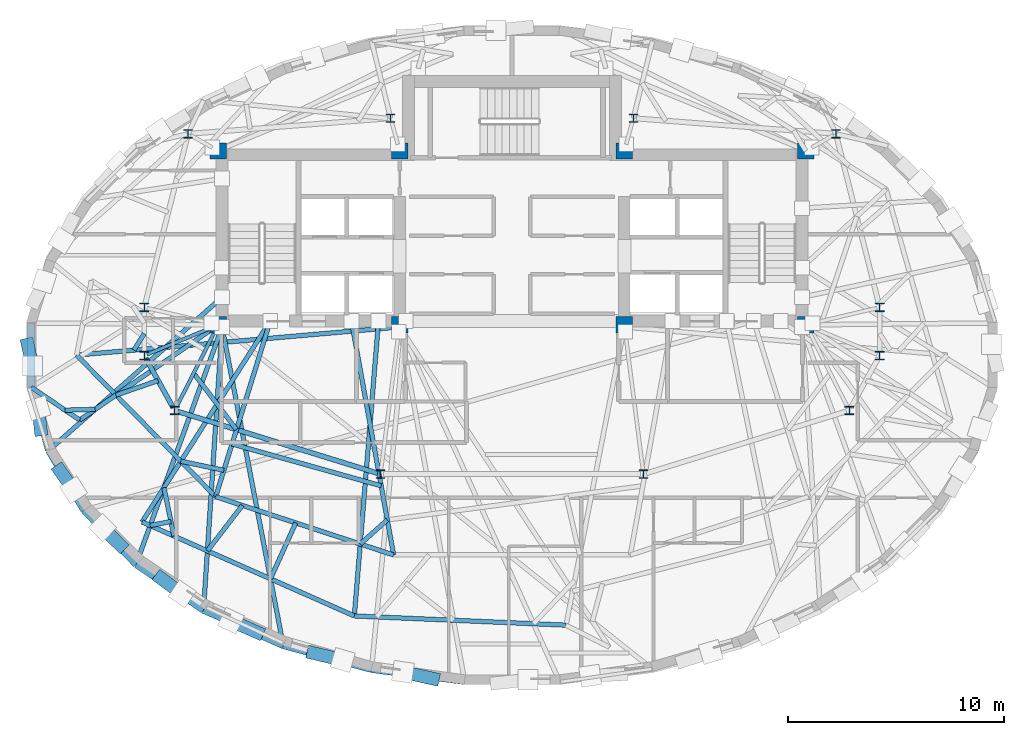
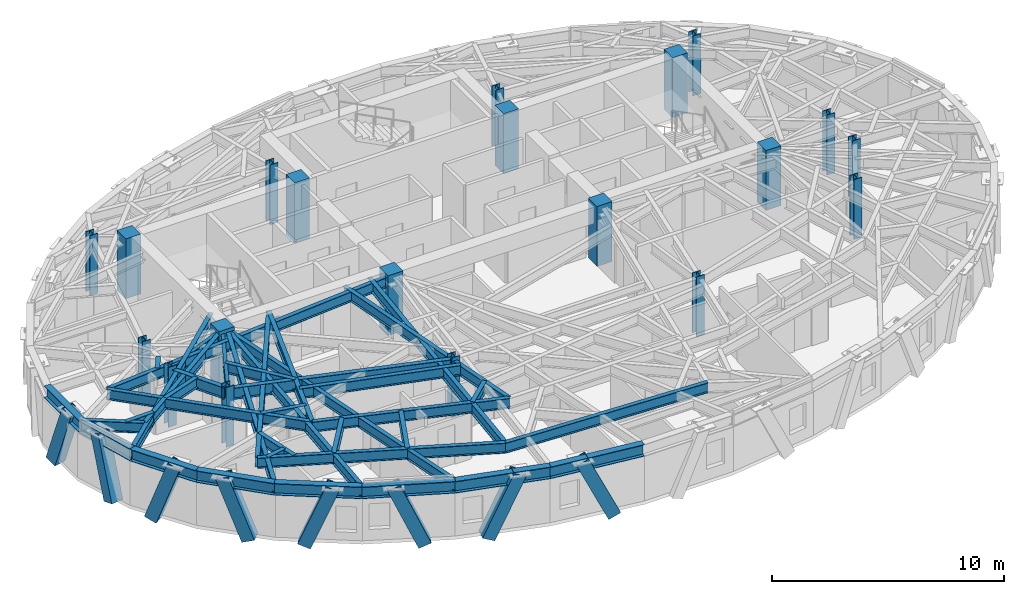
# One storey, part 1 of 12: 38 beams, 20 columns, 8 members.
"""IFC4 building model written with IfcOpenShell, lengths in metres."""

from ifc_helpers import new_model, si_unit, direction, frame, origin, origin_2d, place, context, subcontext, project, spatial, rectangle, hollow_rectangle, i_section, extrude, material, material_profile, profile_set, type_object, element, save


model = new_model("IFC4")

# Units and contexts
model_context = context("Model", 3, precision=1e-05, world=origin(), true_north=direction((0.0, 1.0)))
body_context = subcontext(model_context, "Body", "Model", "MODEL_VIEW")
ifc_project = project(units=[si_unit("LENGTHUNIT", "METRE"), si_unit("AREAUNIT", "SQUARE_METRE"), si_unit("VOLUMEUNIT", "CUBIC_METRE"), si_unit("PLANEANGLEUNIT", "RADIAN"), si_unit("MASSUNIT", "GRAM", prefix="KILO")], contexts=[model_context])

# Site, building, storey
site_placement = place(None, origin())
site = spatial("IfcSite", under=ifc_project, at=site_placement, CompositionType="ELEMENT")
building_placement = place(site_placement, origin())
building = spatial("IfcBuilding", under=site, at=building_placement, Name="Keldmark Tower", CompositionType="ELEMENT")
storey_placement = place(building_placement, frame((0.0, 0.0, 228.89990234375)))
storey = spatial("IfcBuildingStorey", under=building, at=storey_placement, Name="L64", CompositionType="ELEMENT", Elevation=228.89990234375)

# Columns
ifc_material_1 = material(Name="Concrete C50/60", Category="concrete")
ifc_material_profile_1 = material_profile(ifc_material_1, rectangle(XDim=0.75, YDim=0.75, at=origin_2d()), Name="RC750X750")
ifc_profile_set_1 = profile_set([ifc_material_profile_1], Name="Concrete C50/60")
column_type_1 = type_object("IfcColumnType", Name="Core Boundary Column RC750", PredefinedType="PILASTER", material=ifc_profile_set_1)
for number, where, z_axis, x_axis, name in (
    (1, (-13.60009765625, 1.39990234375, 0.0), (0.0, 0.0, 1.0), (1.0, 0.0, 0.0), "L64 Core Boundary Column CC-W1"),
    (2, (-13.60009765625, 9.449951171875, 0.0), (0.0, 0.0, 1.0), (1.0, 0.0, 0.0), "L64 Core Boundary Column CC-W2"),
    (3, (-5.199951171875, 1.39990234375, 0.0), (0.0, 0.0, 1.0), (1.0, 0.0, 0.0), "L64 Core Boundary Column CC-W3"),
    (4, (-5.199951171875, 9.449951171875, 0.0), (0.0, 0.0, 1.0), (1.0, 0.0, 0.0), "L64 Core Boundary Column CC-W4"),
    (5, (5.199951171875, 1.39990234375, 0.0), (0.0, 0.0, 1.0), (1.0, 0.0, 0.0), "L64 Core Boundary Column CC-E1"),
    (6, (5.199951171875, 9.449951171875, 0.0), (0.0, 0.0, 1.0), (1.0, 0.0, 0.0), "L64 Core Boundary Column CC-E2"),
    (7, (13.60009765625, 1.39990234375, 0.0), (0.0, 0.0, 1.0), (1.0, 0.0, 0.0), "L64 Core Boundary Column CC-E3"),
    (8, (13.60009765625, 9.449951171875, 0.0), (0.0, 0.0, 1.0), (1.0, 0.0, 0.0), "L64 Core Boundary Column CC-E4"),
):
    element("IfcColumn", number, at=place(storey_placement, frame(where, z_axis=z_axis, x_axis=x_axis)), inside=storey, type_object=column_type_1, Name=name, PredefinedType="PILASTER", context=body_context, shape_type="SweptSolid", body=[
        extrude(rectangle(XDim=0.75, YDim=0.75, at=origin_2d()), origin(), (0.0, 0.0, 1.0), 3.150146484375),
    ])
ifc_material_2 = material(Name="Steel ASTM A992 Grade 50", Category="steel")
ifc_material_profile_2 = material_profile(ifc_material_2, i_section(OverallWidth=0.39892578125, OverallDepth=0.386962890625, WebThickness=0.02099609375, FlangeThickness=0.033203125, at=origin_2d()), Name="W14X176")
ifc_profile_set_2 = profile_set([ifc_material_profile_2], Name="Steel ASTM A992 Grade 50")
column_type_2 = type_object("IfcColumnType", Name="Tower Gravity Column W14X176", PredefinedType="COLUMN", material=ifc_profile_set_2)
for number, where, z_axis, x_axis, name in (
    (9, (17.025634765625, 2.2080078125, 0.0), (0.0, 0.0, 1.0), (1.0, 0.0, 0.0), "L64 Tower Gravity Column TC-E1"),
    (10, (14.995849609375, 10.24365234375, 0.0), (0.0, 0.0, 1.0), (1.0, 0.0, 0.0), "L64 Tower Gravity Column TC-E4"),
    (11, (5.61865234375, 10.967041015625, 0.0), (0.0, 0.0, 1.0), (1.0, 0.0, 0.0), "L64 Tower Gravity Column TC-N2"),
    (12, (-5.61865234375, 10.967041015625, 0.0), (0.0, 0.0, 1.0), (1.0, 0.0, 0.0), "L64 Tower Gravity Column TC-N1"),
    (13, (-14.995849609375, 10.24365234375, 0.0), (0.0, 0.0, 1.0), (1.0, 0.0, 0.0), "L64 Tower Gravity Column TC-W4"),
    (14, (-17.025634765625, 2.2080078125, 0.0), (0.0, 0.0, 1.0), (1.0, 0.0, 0.0), "L64 Tower Gravity Column TC-W1"),
    (15, (-17.025634765625, -0.02392578125, 0.0), (0.0, 0.0, 1.0), (1.0, 0.0, 0.0), "L64 Tower Gravity Column TC-W5"),
    (16, (-15.6162109375, -2.5673828125, 0.0), (0.0, 0.0, 1.0), (1.0, 0.0, 0.0), "L64 Tower Gravity Column TC-W2"),
    (17, (-6.089599609375, -5.512939453125, 0.0), (0.0, 0.0, 1.0), (1.0, 0.0, 0.0), "L64 Tower Gravity Column TC-W3"),
    (18, (6.089599609375, -5.512939453125, 0.0), (0.0, 0.0, 1.0), (1.0, 0.0, 0.0), "L64 Tower Gravity Column TC-E3"),
    (19, (15.6162109375, -2.5673828125, 0.0), (0.0, 0.0, 1.0), (1.0, 0.0, 0.0), "L64 Tower Gravity Column TC-E2"),
    (20, (17.025634765625, -0.02392578125, 0.0), (0.0, 0.0, 1.0), (1.0, 0.0, 0.0), "L64 Tower Gravity Column TC-E5"),
):
    element("IfcColumn", number, at=place(storey_placement, frame(where, z_axis=z_axis, x_axis=x_axis)), inside=storey, type_object=column_type_2, Name=name, PredefinedType="COLUMN", context=body_context, shape_type="SweptSolid", body=[
        extrude(i_section(OverallWidth=0.39892578125, OverallDepth=0.386962890625, WebThickness=0.02099609375, FlangeThickness=0.033203125, at=origin_2d()), origin(), (0.0, 0.0, 1.0), 3.150146484375),
    ])

# Members
ifc_material_3 = material(Name="Steel ASTM A572 Grade 50", Category="steel")
ifc_material_profile_3 = material_profile(ifc_material_3, hollow_rectangle(XDim=0.60009765625, YDim=0.60009765625, WallThickness=0.034912109375, at=origin_2d()), Name="BOX600X600X35")
ifc_profile_set_3 = profile_set([ifc_material_profile_3], Name="Steel ASTM A572 Grade 50")
member_type = type_object("IfcMemberType", Name="Diagrid Zone 4 Brace BOX600X600X35", PredefinedType="BRACE", material=ifc_profile_set_3)
member_1_placement = place(storey_placement, frame((-22.424560546875, 0.49462890625, -0.260009765625), z_axis=(0.06868989511, -0.30429399788, 0.950098342891), x_axis=(0.975455912888, 0.220194827395, 0.0)))
element("IfcMember", 21, at=member_1_placement, inside=storey, type_object=member_type, Name="L64 Perimeter Diagrid Brace 08B", PredefinedType="BRACE", context=body_context, shape_type="SweptSolid", body=[
    extrude(hollow_rectangle(XDim=0.60009765625, YDim=0.60009765625, WallThickness=0.034912109375, at=origin_2d()), origin(), (0.0, 0.0, 1.0), 3.2734375),
])
member_2_placement = place(storey_placement, frame((-21.820068359375, -3.453857421875, -0.260009765625), z_axis=(-0.033243047941, 0.305387820185, 0.951647612852), x_axis=(-0.994127413217, -0.108215924384, 0.0)))
element("IfcMember", 22, at=member_2_placement, inside=storey, type_object=member_type, Name="L64 Perimeter Diagrid Brace 09A", PredefinedType="BRACE", context=body_context, shape_type="SweptSolid", body=[
    extrude(hollow_rectangle(XDim=0.60009765625, YDim=0.60009765625, WallThickness=0.034912109375, at=origin_2d()), origin(), (0.0, 0.0, 1.0), 3.26806640625),
])
member_3_placement = place(storey_placement, frame((-20.939453125, -5.33837890625, -0.260009765625), z_axis=(0.193196922491, -0.273597020021, 0.942241805364), x_axis=(0.816869929118, 0.57682191264, 0.0)))
element("IfcMember", 23, at=member_3_placement, inside=storey, type_object=member_type, Name="L64 Perimeter Diagrid Brace 09B", PredefinedType="BRACE", context=body_context, shape_type="SweptSolid", body=[
    extrude(hollow_rectangle(XDim=0.60009765625, YDim=0.60009765625, WallThickness=0.034912109375, at=origin_2d()), origin(), (0.0, 0.0, 1.0), 3.30078125),
])
member_4_placement = place(storey_placement, frame((-18.126953125, -8.806396484375, -0.260009765625), z_axis=(-0.250269331874, 0.246300302823, 0.936323353523), x_axis=(-0.701432545153, -0.712735844896, 0.0)))
element("IfcMember", 24, at=member_4_placement, inside=storey, type_object=member_type, Name="L64 Perimeter Diagrid Brace 10A", PredefinedType="BRACE", context=body_context, shape_type="SweptSolid", body=[
    extrude(hollow_rectangle(XDim=0.60009765625, YDim=0.60009765625, WallThickness=0.034912109375, at=origin_2d()), origin(), (0.0, 0.0, 1.0), 3.321533203125),
])
member_5_placement = place(storey_placement, frame((-16.268310546875, -10.322265625, -0.260009765625), z_axis=(0.296561695455, -0.219813133679, 0.929372555572), x_axis=(0.595468569724, 0.803378604689, 0.0)))
element("IfcMember", 25, at=member_5_placement, inside=storey, type_object=member_type, Name="L64 Perimeter Diagrid Brace 10B", PredefinedType="BRACE", context=body_context, shape_type="SweptSolid", body=[
    extrude(hollow_rectangle(XDim=0.60009765625, YDim=0.60009765625, WallThickness=0.034912109375, at=origin_2d()), origin(), (0.0, 0.0, 1.0), 3.346435546875),
])
member_6_placement = place(storey_placement, frame((-11.77685546875, -12.84375, -0.260009765625), z_axis=(-0.364814117279, 0.16026765839, 0.917183153742), x_axis=(-0.402211742403, -0.915546675093, 0.0)))
element("IfcMember", 26, at=member_6_placement, inside=storey, type_object=member_type, Name="L64 Perimeter Diagrid Brace 11A", PredefinedType="BRACE", context=body_context, shape_type="SweptSolid", body=[
    extrude(hollow_rectangle(XDim=0.60009765625, YDim=0.60009765625, WallThickness=0.034912109375, at=origin_2d()), origin(), (0.0, 0.0, 1.0), 3.390869140625),
])
member_7_placement = place(storey_placement, frame((-9.2216796875, -13.79248046875, -0.260009765625), z_axis=(0.40426064735, -0.096388533014, 0.909550757081), x_axis=(0.231930198238, 0.972732431425, 0.0)))
element("IfcMember", 27, at=member_7_placement, inside=storey, type_object=member_type, Name="L64 Perimeter Diagrid Brace 11B", PredefinedType="BRACE", context=body_context, shape_type="SweptSolid", body=[
    extrude(hollow_rectangle(XDim=0.60009765625, YDim=0.60009765625, WallThickness=0.034912109375, at=origin_2d()), origin(), (0.0, 0.0, 1.0), 3.41943359375),
])
member_8_placement = place(storey_placement, frame((-3.640869140625, -14.9853515625, -0.260009765625), z_axis=(-0.411077527519, 0.091983402417, 0.906947804479), x_axis=(-0.218361844717, -0.975867872599, 0.0)))
element("IfcMember", 28, at=member_8_placement, inside=storey, type_object=member_type, Name="L64 Perimeter Diagrid Brace 12A", PredefinedType="BRACE", context=body_context, shape_type="SweptSolid", body=[
    extrude(hollow_rectangle(XDim=0.60009765625, YDim=0.60009765625, WallThickness=0.034912109375, at=origin_2d()), origin(), (0.0, 0.0, 1.0), 3.42919921875),
])

# Beams
ifc_material_4 = material(Name="Steel ASTM A992 Grade 50", Category="steel")
ifc_material_profile_4 = material_profile(ifc_material_4, i_section(OverallWidth=0.22802734375, OverallDepth=0.60302734375, WebThickness=0.010498046875, FlangeThickness=0.014892578125, at=origin_2d()), Name="W24X68")
ifc_profile_set_4 = profile_set([ifc_material_profile_4], Name="Steel ASTM A992 Grade 50")
beam_type_1 = type_object("IfcBeamType", Name="Primary Floor Girder W24X68", PredefinedType="BEAM", material=ifc_profile_set_4)
beam_1_placement = place(storey_placement, frame((-16.957763671875, -0.146484375, 2.668701171875), z_axis=(0.484719680408, -0.874669555561, 0.0), x_axis=(0.874669555561, 0.484719680408, 0.0)))
element("IfcBeam", 29, at=beam_1_placement, inside=storey, type_object=beam_type_1, Name="L64 Floor Ring Girder FG-R07", PredefinedType="BEAM", context=body_context, shape_type="SweptSolid", body=[
    extrude(i_section(OverallWidth=0.22802734375, OverallDepth=0.60302734375, WebThickness=0.010498046875, FlangeThickness=0.014892578125, at=origin_2d()), origin(), (0.0, 0.0, 1.0), 2.627685546875),
])
beam_2_placement = place(storey_placement, frame((-15.482421875, -2.60888671875, 2.668701171875), z_axis=(0.955383255089, -0.295368982622, 0.0), x_axis=(0.295368982622, 0.955383255089, 0.0)))
element("IfcBeam", 30, at=beam_2_placement, inside=storey, type_object=beam_type_1, Name="L64 Floor Ring Girder FG-R08", PredefinedType="BEAM", context=body_context, shape_type="SweptSolid", body=[
    extrude(i_section(OverallWidth=0.22802734375, OverallDepth=0.60302734375, WebThickness=0.010498046875, FlangeThickness=0.014892578125, at=origin_2d()), origin(), (0.0, 0.0, 1.0), 9.69140625),
])
ifc_material_5 = material(Name="Steel ASTM A992 Grade 50", Category="steel")
ifc_material_profile_5 = material_profile(ifc_material_5, i_section(OverallWidth=0.166015625, OverallDepth=0.529052734375, WebThickness=0.009765625, FlangeThickness=0.013671875, at=origin_2d()), Name="W21X50")
ifc_profile_set_5 = profile_set([ifc_material_profile_5], Name="Steel ASTM A992 Grade 50")
beam_type_2 = type_object("IfcBeamType", Name="Radial Tie Girder W21X50", PredefinedType="BEAM", material=ifc_profile_set_5)
beam_3_placement = place(storey_placement, frame((-16.896240234375, 0.02978515625, 2.70556640625), z_axis=(0.923403331902, 0.383831065226, 0.0), x_axis=(-0.383831065226, 0.923403331902, 0.0)))
element("IfcBeam", 31, at=beam_3_placement, inside=storey, type_object=beam_type_2, Name="L64 Floor Radial Girder FG-C07", PredefinedType="BEAM", context=body_context, shape_type="SweptSolid", body=[
    extrude(i_section(OverallWidth=0.166015625, OverallDepth=0.529052734375, WebThickness=0.009765625, FlangeThickness=0.013671875, at=origin_2d()), origin(), (0.0, 0.0, 1.0), 3.249755859375),
])
beam_4_placement = place(storey_placement, frame((-15.552734375, -2.442626953125, 2.70556640625), z_axis=(0.453004410574, 0.89150827478, 0.0), x_axis=(-0.89150827478, 0.453004410574, 0.0)))
element("IfcBeam", 32, at=beam_4_placement, inside=storey, type_object=beam_type_2, Name="L64 Floor Radial Girder FG-C08", PredefinedType="BEAM", context=body_context, shape_type="SweptSolid", body=[
    extrude(i_section(OverallWidth=0.166015625, OverallDepth=0.529052734375, WebThickness=0.009765625, FlangeThickness=0.013671875, at=origin_2d()), origin(), (0.0, 0.0, 1.0), 3.990234375),
])
ifc_material_6 = material(Name="Steel ASTM A992 Grade 50", Category="steel")
ifc_material_profile_6 = material_profile(ifc_material_6, i_section(OverallWidth=0.2099609375, OverallDepth=0.537109375, WebThickness=0.010986328125, FlangeThickness=0.017333984375, at=origin_2d()), Name="W21X68")
ifc_profile_set_6 = profile_set([ifc_material_profile_6], Name="Steel ASTM A992 Grade 50")
beam_type_3 = type_object("IfcBeamType", Name="Radial Tie Girder W21X68", PredefinedType="BEAM", material=ifc_profile_set_6)
beam_5_placement = place(storey_placement, frame((-17.025634765625, 0.994384765625, 2.70166015625), z_axis=(-0.533027996097, -0.846097603931, 0.0), x_axis=(0.846097603931, -0.533027996097, 0.0)))
element("IfcBeam", 33, at=beam_5_placement, inside=storey, type_object=beam_type_3, Name="L64 Framing Pin Header PH-001", PredefinedType="BEAM", context=body_context, shape_type="SweptSolid", body=[
    extrude(i_section(OverallWidth=0.2099609375, OverallDepth=0.537109375, WebThickness=0.010986328125, FlangeThickness=0.017333984375, at=origin_2d()), origin(), (0.0, 0.0, 1.0), 0.904541015625),
])
beam_6_placement = place(storey_placement, frame((-5.199951171875, 1.300048828125, 2.70166015625), z_axis=(-0.996235095365, -0.086692760734, 0.0), x_axis=(0.086692760734, -0.996235095365, 0.0)))
element("IfcBeam", 34, at=beam_6_placement, inside=storey, type_object=beam_type_3, Name="L64 Sub-Ring Step Girder STP1-M07", PredefinedType="BEAM", context=body_context, shape_type="SweptSolid", body=[
    extrude(i_section(OverallWidth=0.2099609375, OverallDepth=0.537109375, WebThickness=0.010986328125, FlangeThickness=0.017333984375, at=origin_2d()), origin(), (0.0, 0.0, 1.0), 15.015869140625),
])
beam_7_placement = place(storey_placement, frame((-14.7392578125, -0.841796875, 2.70166015625), z_axis=(0.605122917329, -0.796132058721, 0.0), x_axis=(0.796132058721, 0.605122917329, 0.0)))
element("IfcBeam", 35, at=beam_7_placement, inside=storey, type_object=beam_type_3, Name="L64 Framing Pin Header PH-002", PredefinedType="BEAM", context=body_context, shape_type="SweptSolid", body=[
    extrude(i_section(OverallWidth=0.2099609375, OverallDepth=0.537109375, WebThickness=0.010986328125, FlangeThickness=0.017333984375, at=origin_2d()), origin(), (0.0, 0.0, 1.0), 3.278564453125),
])
beam_8_placement = place(storey_placement, frame((-11.19287109375, 1.574951171875, 2.70166015625), z_axis=(-0.296814974353, -0.954935008783, 0.0), x_axis=(0.954935008783, -0.296814974353, 0.0)))
element("IfcBeam", 36, at=beam_8_placement, inside=storey, type_object=beam_type_3, Name="L64 Sub-Ring Step Girder STP1-M08", PredefinedType="BEAM", context=body_context, shape_type="SweptSolid", body=[
    extrude(i_section(OverallWidth=0.2099609375, OverallDepth=0.537109375, WebThickness=0.010986328125, FlangeThickness=0.017333984375, at=origin_2d()), origin(), (0.0, 0.0, 1.0), 8.51416015625),
])
beam_9_placement = place(storey_placement, frame((-12.9619140625, -4.1162109375, 2.70166015625), z_axis=(0.962798023813, -0.270222066719, 0.0), x_axis=(0.270222066719, 0.962798023813, 0.0)))
element("IfcBeam", 37, at=beam_9_placement, inside=storey, type_object=beam_type_3, Name="L64 Framing Pin Header PH-003", PredefinedType="BEAM", context=body_context, shape_type="SweptSolid", body=[
    extrude(i_section(OverallWidth=0.2099609375, OverallDepth=0.537109375, WebThickness=0.010986328125, FlangeThickness=0.017333984375, at=origin_2d()), origin(), (0.0, 0.0, 1.0), 7.171875),
])
beam_10_placement = place(storey_placement, frame((-7.43212890625, 1.574951171875, 2.70166015625), z_axis=(0.177393670446, -0.984139972608, 0.0), x_axis=(0.984139972608, 0.177393670446, 0.0)))
element("IfcBeam", 38, at=beam_10_placement, inside=storey, type_object=beam_type_3, Name="L64 Sub-Ring Step Girder STP1-M09", PredefinedType="BEAM", context=body_context, shape_type="SweptSolid", body=[
    extrude(i_section(OverallWidth=0.2099609375, OverallDepth=0.537109375, WebThickness=0.010986328125, FlangeThickness=0.017333984375, at=origin_2d()), origin(), (0.0, 0.0, 1.0), 11.004638671875),
])
beam_11_placement = place(storey_placement, frame((-20.1591796875, -0.001708984375, 2.70166015625), z_axis=(0.700848087861, -0.713310561916, 0.0), x_axis=(0.713310561916, 0.700848087861, 0.0)))
element("IfcBeam", 39, at=beam_11_placement, inside=storey, type_object=beam_type_3, Name="L64 Perimeter Collector Ring Beam CRG1-M07", PredefinedType="BEAM", context=body_context, shape_type="SweptSolid", body=[
    extrude(i_section(OverallWidth=0.2099609375, OverallDepth=0.537109375, WebThickness=0.010986328125, FlangeThickness=0.017333984375, at=origin_2d()), origin(), (0.0, 0.0, 1.0), 9.187744140625),
])
beam_12_placement = place(storey_placement, frame((-13.719970703125, -6.555419921875, 2.70166015625), z_axis=(0.95029538348, -0.3113497778, 0.0), x_axis=(0.3113497778, 0.95029538348, 0.0)))
element("IfcBeam", 40, at=beam_12_placement, inside=storey, type_object=beam_type_3, Name="L64 Perimeter Collector Ring Beam CRG1-M08", PredefinedType="BEAM", context=body_context, shape_type="SweptSolid", body=[
    extrude(i_section(OverallWidth=0.2099609375, OverallDepth=0.537109375, WebThickness=0.010986328125, FlangeThickness=0.017333984375, at=origin_2d()), origin(), (0.0, 0.0, 1.0), 8.6708984375),
])
beam_13_placement = place(storey_placement, frame((-13.3408203125, -5.3359375, 2.70166015625), z_axis=(-0.978280559555, 0.207285182288, 0.0), x_axis=(-0.207285182288, -0.978280559555, 0.0)))
element("IfcBeam", 41, at=beam_13_placement, inside=storey, type_object=beam_type_3, Name="L64 Framing Pin Header PH-008", PredefinedType="BEAM", context=body_context, shape_type="SweptSolid", body=[
    extrude(i_section(OverallWidth=0.2099609375, OverallDepth=0.537109375, WebThickness=0.010986328125, FlangeThickness=0.017333984375, at=origin_2d()), origin(), (0.0, 0.0, 1.0), 2.036376953125),
])
beam_14_placement = place(storey_placement, frame((-11.19287109375, 1.574951171875, 2.70166015625), z_axis=(-0.537888913511, -0.843015727446, 0.0), x_axis=(0.843015727446, -0.537888913511, 0.0)))
element("IfcBeam", 42, at=beam_14_placement, inside=storey, type_object=beam_type_3, Name="L64 Sub-Ring Step Girder STP2-M08", PredefinedType="BEAM", context=body_context, shape_type="SweptSolid", body=[
    extrude(i_section(OverallWidth=0.2099609375, OverallDepth=0.537109375, WebThickness=0.010986328125, FlangeThickness=0.017333984375, at=origin_2d()), origin(), (0.0, 0.0, 1.0), 11.0322265625),
])
beam_15_placement = place(storey_placement, frame((-5.772705078125, -7.630615234375, 2.70166015625), z_axis=(-0.746293482888, -0.665617035088, 0.0), x_axis=(0.665617035088, -0.746293482888, 0.0)))
element("IfcBeam", 43, at=beam_15_placement, inside=storey, type_object=beam_type_3, Name="L64 Framing Pin Header PH-009", PredefinedType="BEAM", context=body_context, shape_type="SweptSolid", body=[
    extrude(i_section(OverallWidth=0.2099609375, OverallDepth=0.537109375, WebThickness=0.010986328125, FlangeThickness=0.017333984375, at=origin_2d()), origin(), (0.0, 0.0, 1.0), 1.679443359375),
])
beam_16_placement = place(storey_placement, frame((-6.1787109375, 1.574951171875, 2.70166015625), z_axis=(-0.081813957811, -0.996647618924, 0.0), x_axis=(0.996647618924, -0.081813957811, 0.0)))
element("IfcBeam", 44, at=beam_16_placement, inside=storey, type_object=beam_type_3, Name="L64 Sub-Ring Step Girder STP2-M09", PredefinedType="BEAM", context=body_context, shape_type="SweptSolid", body=[
    extrude(i_section(OverallWidth=0.2099609375, OverallDepth=0.537109375, WebThickness=0.010986328125, FlangeThickness=0.017333984375, at=origin_2d()), origin(), (0.0, 0.0, 1.0), 13.699951171875),
])
beam_17_placement = place(storey_placement, frame((-17.126953125, -7.725341796875, 2.70166015625), z_axis=(0.914293276831, -0.405052840924, 0.0), x_axis=(0.405052840924, 0.914293276831, 0.0)))
element("IfcBeam", 45, at=beam_17_placement, inside=storey, type_object=beam_type_3, Name="L64 Perimeter Collector Ring Beam CRG2-M08", PredefinedType="BEAM", context=body_context, shape_type="SweptSolid", body=[
    extrude(i_section(OverallWidth=0.2099609375, OverallDepth=0.537109375, WebThickness=0.010986328125, FlangeThickness=0.017333984375, at=origin_2d()), origin(), (0.0, 0.0, 1.0), 10.74853515625),
])
beam_18_placement = place(storey_placement, frame((-7.299560546875, -12.0791015625, 2.70166015625), z_axis=(0.999056440093, -0.043430743827, 0.0), x_axis=(0.043430743827, 0.999056440093, 0.0)))
element("IfcBeam", 46, at=beam_18_placement, inside=storey, type_object=beam_type_3, Name="L64 Perimeter Collector Ring Beam CRG2-M09", PredefinedType="BEAM", context=body_context, shape_type="SweptSolid", body=[
    extrude(i_section(OverallWidth=0.2099609375, OverallDepth=0.537109375, WebThickness=0.010986328125, FlangeThickness=0.017333984375, at=origin_2d()), origin(), (0.0, 0.0, 1.0), 9.809326171875),
])
beam_19_placement = place(storey_placement, frame((-16.384521484375, -1.180908203125, 2.70166015625), z_axis=(-0.945421919461, -0.325848729018, 0.0), x_axis=(0.325848729018, -0.945421919461, 0.0)))
element("IfcBeam", 47, at=beam_19_placement, inside=storey, type_object=beam_type_3, Name="L64 Framing Pin Header PH-021", PredefinedType="BEAM", context=body_context, shape_type="SweptSolid", body=[
    extrude(i_section(OverallWidth=0.2099609375, OverallDepth=0.537109375, WebThickness=0.010986328125, FlangeThickness=0.017333984375, at=origin_2d()), origin(), (0.0, 0.0, 1.0), 2.067138671875),
])
beam_20_placement = place(storey_placement, frame((-13.60009765625, 1.39990234375, 2.70166015625), z_axis=(-0.8243181986, -0.566126759178, 0.0), x_axis=(0.566126759178, -0.8243181986, 0.0)))
element("IfcBeam", 48, at=beam_20_placement, inside=storey, type_object=beam_type_3, Name="L64 Intermediate Radial Step Girder RT-18M", PredefinedType="BEAM", context=body_context, shape_type="SweptSolid", body=[
    extrude(i_section(OverallWidth=0.2099609375, OverallDepth=0.537109375, WebThickness=0.010986328125, FlangeThickness=0.017333984375, at=origin_2d()), origin(), (0.0, 0.0, 1.0), 7.783935546875),
])
beam_21_placement = place(storey_placement, frame((-22.25927734375, -1.48681640625, 2.70166015625), z_axis=(0.827783688911, -0.561047381576, 0.0), x_axis=(0.561047381576, 0.827783688911, 0.0)))
element("IfcBeam", 49, at=beam_21_placement, inside=storey, type_object=beam_type_3, Name="L64 Local Collector Chord RT-18C", PredefinedType="BEAM", context=body_context, shape_type="SweptSolid", body=[
    extrude(i_section(OverallWidth=0.2099609375, OverallDepth=0.537109375, WebThickness=0.010986328125, FlangeThickness=0.017333984375, at=origin_2d()), origin(), (0.0, 0.0, 1.0), 2.709228515625),
])
beam_22_placement = place(storey_placement, frame((-20.689453125, -2.55078125, 2.70166015625), z_axis=(0.999621547466, 0.027509304637, 0.0), x_axis=(-0.027509304637, 0.999621547466, 0.0)))
element("IfcBeam", 50, at=beam_22_placement, inside=storey, type_object=beam_type_3, Name="L64 Framing Pin Header PH-022", PredefinedType="BEAM", context=body_context, shape_type="SweptSolid", body=[
    extrude(i_section(OverallWidth=0.2099609375, OverallDepth=0.537109375, WebThickness=0.010986328125, FlangeThickness=0.017333984375, at=origin_2d()), origin(), (0.0, 0.0, 1.0), 1.393310546875),
])
beam_23_placement = place(storey_placement, frame((-13.425048828125, 2.675048828125, 2.70166015625), z_axis=(-0.749425676326, -0.662088480238, 0.0), x_axis=(0.662088480238, -0.749425676326, 0.0)))
element("IfcBeam", 51, at=beam_23_placement, inside=storey, type_object=beam_type_3, Name="L64 Perimeter Radial Tie Girder RT-18", PredefinedType="BEAM", context=body_context, shape_type="SweptSolid", body=[
    extrude(i_section(OverallWidth=0.2099609375, OverallDepth=0.537109375, WebThickness=0.010986328125, FlangeThickness=0.017333984375, at=origin_2d()), origin(), (0.0, 0.0, 1.0), 10.70361328125),
])
beam_24_placement = place(storey_placement, frame((-15.65283203125, -8.37841796875, 2.70166015625), z_axis=(-0.201324781043, 0.979524544122, 0.0), x_axis=(-0.979524544122, -0.201324781043, 0.0)))
element("IfcBeam", 52, at=beam_24_placement, inside=storey, type_object=beam_type_3, Name="L64 Framing Pin Header PH-023", PredefinedType="BEAM", context=body_context, shape_type="SweptSolid", body=[
    extrude(i_section(OverallWidth=0.2099609375, OverallDepth=0.537109375, WebThickness=0.010986328125, FlangeThickness=0.017333984375, at=origin_2d()), origin(), (0.0, 0.0, 1.0), 2.288330078125),
])
beam_25_placement = place(storey_placement, frame((-15.791015625, -7.7060546875, 2.70166015625), z_axis=(-0.982047303494, -0.188634815718, 0.0), x_axis=(0.188634815718, -0.982047303494, 0.0)))
element("IfcBeam", 53, at=beam_25_placement, inside=storey, type_object=beam_type_3, Name="L64 Framing Pin Header PH-024", PredefinedType="BEAM", context=body_context, shape_type="SweptSolid", body=[
    extrude(i_section(OverallWidth=0.2099609375, OverallDepth=0.537109375, WebThickness=0.010986328125, FlangeThickness=0.017333984375, at=origin_2d()), origin(), (0.0, 0.0, 1.0), 0.979736328125),
])
beam_26_placement = place(storey_placement, frame((-13.425048828125, 1.300048828125, 2.70166015625), z_axis=(-0.340465928574, -0.940256853993, 0.0), x_axis=(0.940256853993, -0.340465928574, 0.0)))
element("IfcBeam", 54, at=beam_26_placement, inside=storey, type_object=beam_type_3, Name="L64 Perimeter Radial Tie Girder RT-20", PredefinedType="BEAM", context=body_context, shape_type="SweptSolid", body=[
    extrude(i_section(OverallWidth=0.2099609375, OverallDepth=0.537109375, WebThickness=0.010986328125, FlangeThickness=0.017333984375, at=origin_2d()), origin(), (0.0, 0.0, 1.0), 11.683349609375),
])
beam_27_placement = place(storey_placement, frame((-12.48388671875, -6.96044921875, 2.70166015625), z_axis=(-0.60978185372, -0.792569297206, 0.0), x_axis=(0.792569297206, -0.60978185372, 0.0)))
element("IfcBeam", 55, at=beam_27_placement, inside=storey, type_object=beam_type_3, Name="L64 Framing Pin Header PH-025", PredefinedType="BEAM", context=body_context, shape_type="SweptSolid", body=[
    extrude(i_section(OverallWidth=0.2099609375, OverallDepth=0.537109375, WebThickness=0.010986328125, FlangeThickness=0.017333984375, at=origin_2d()), origin(), (0.0, 0.0, 1.0), 2.6552734375),
])
beam_28_placement = place(storey_placement, frame((-13.425048828125, 1.300048828125, 2.70166015625), z_axis=(-0.065267516154, -0.997867802535, 0.0), x_axis=(0.997867802535, -0.065267516154, 0.0)))
element("IfcBeam", 56, at=beam_28_placement, inside=storey, type_object=beam_type_3, Name="L64 Perimeter Radial Tie Girder RT-21", PredefinedType="BEAM", context=body_context, shape_type="SweptSolid", body=[
    extrude(i_section(OverallWidth=0.2099609375, OverallDepth=0.537109375, WebThickness=0.010986328125, FlangeThickness=0.017333984375, at=origin_2d()), origin(), (0.0, 0.0, 1.0), 13.129638671875),
])
beam_29_placement = place(storey_placement, frame((-10.011962890625, -7.7705078125, 2.70166015625), z_axis=(-0.412436234048, -0.910986472372, 0.0), x_axis=(0.910986472372, -0.412436234048, 0.0)))
element("IfcBeam", 57, at=beam_29_placement, inside=storey, type_object=beam_type_3, Name="L64 Framing Pin Header PH-026", PredefinedType="BEAM", context=body_context, shape_type="SweptSolid", body=[
    extrude(i_section(OverallWidth=0.2099609375, OverallDepth=0.537109375, WebThickness=0.010986328125, FlangeThickness=0.017333984375, at=origin_2d()), origin(), (0.0, 0.0, 1.0), 2.8408203125),
])
beam_30_placement = place(storey_placement, frame((-13.425048828125, 1.300048828125, 2.70166015625), z_axis=(0.188805760539, -0.982014452433, 0.0), x_axis=(0.982014452433, 0.188805760539, 0.0)))
element("IfcBeam", 58, at=beam_30_placement, inside=storey, type_object=beam_type_3, Name="L64 Perimeter Radial Tie Girder RT-22", PredefinedType="BEAM", context=body_context, shape_type="SweptSolid", body=[
    extrude(i_section(OverallWidth=0.2099609375, OverallDepth=0.537109375, WebThickness=0.010986328125, FlangeThickness=0.017333984375, at=origin_2d()), origin(), (0.0, 0.0, 1.0), 15.007568359375),
])
ifc_material_7 = material(Name="Steel ASTM A992 Grade 50", Category="steel")
ifc_material_profile_7 = material_profile(ifc_material_7, i_section(OverallWidth=0.326904296875, OverallDepth=0.6220703125, WebThickness=0.015380859375, FlangeThickness=0.0244140625, at=origin_2d()), Name="W24X131")
ifc_profile_set_7 = profile_set([ifc_material_profile_7], Name="Steel ASTM A992 Grade 50")
beam_type_4 = type_object("IfcBeamType", Name="Spandrel Ring Beam W24X131", PredefinedType="SPANDREL", material=ifc_profile_set_7)
beam_31_placement = place(storey_placement, frame((-22.25927734375, 1.48681640625, 2.6591796875), z_axis=(0.0, -1.0, 0.0), x_axis=(1.0, 0.0, 0.0)))
element("IfcBeam", 59, at=beam_31_placement, inside=storey, type_object=beam_type_4, Name="L64 Perimeter Spandrel Ring Beam SRB-16", PredefinedType="SPANDREL", context=body_context, shape_type="SweptSolid", body=[
    extrude(i_section(OverallWidth=0.326904296875, OverallDepth=0.6220703125, WebThickness=0.015380859375, FlangeThickness=0.0244140625, at=origin_2d()), origin(), (0.0, 0.0, 1.0), 2.9736328125),
])
beam_32_placement = place(storey_placement, frame((-22.25927734375, -1.48681640625, 2.6591796875), z_axis=(0.26773511856, -0.963492556427, 0.0), x_axis=(0.963492556427, 0.26773511856, 0.0)))
element("IfcBeam", 60, at=beam_32_placement, inside=storey, type_object=beam_type_4, Name="L64 Perimeter Spandrel Ring Beam SRB-17", PredefinedType="SPANDREL", context=body_context, shape_type="SweptSolid", body=[
    extrude(i_section(OverallWidth=0.326904296875, OverallDepth=0.6220703125, WebThickness=0.015380859375, FlangeThickness=0.0244140625, at=origin_2d()), origin(), (0.0, 0.0, 1.0), 3.03564453125),
])
beam_33_placement = place(storey_placement, frame((-21.446533203125, -4.41162109375, 2.6591796875), z_axis=(0.507275605256, -0.861783882601, 0.0), x_axis=(0.861783882601, 0.507275605256, 0.0)))
element("IfcBeam", 61, at=beam_33_placement, inside=storey, type_object=beam_type_4, Name="L64 Perimeter Spandrel Ring Beam SRB-18", PredefinedType="SPANDREL", context=body_context, shape_type="SweptSolid", body=[
    extrude(i_section(OverallWidth=0.326904296875, OverallDepth=0.6220703125, WebThickness=0.015380859375, FlangeThickness=0.0244140625, at=origin_2d()), origin(), (0.0, 0.0, 1.0), 3.21533203125),
])
beam_34_placement = place(storey_placement, frame((-19.8154296875, -7.1826171875, 2.6591796875), z_axis=(0.694030285144, -0.71994580581, 0.0), x_axis=(0.71994580581, 0.694030285144, 0.0)))
element("IfcBeam", 62, at=beam_34_placement, inside=storey, type_object=beam_type_4, Name="L64 Perimeter Spandrel Ring Beam SRB-19", PredefinedType="SPANDREL", context=body_context, shape_type="SweptSolid", body=[
    extrude(i_section(OverallWidth=0.326904296875, OverallDepth=0.6220703125, WebThickness=0.015380859375, FlangeThickness=0.0244140625, at=origin_2d()), origin(), (0.0, 0.0, 1.0), 3.476318359375),
])
beam_35_placement = place(storey_placement, frame((-17.40283203125, -9.685302734375, 2.6591796875), z_axis=(0.827661601168, -0.561227470775, 0.0), x_axis=(0.561227470775, 0.827661601168, 0.0)))
element("IfcBeam", 63, at=beam_35_placement, inside=storey, type_object=beam_type_4, Name="L64 Perimeter Spandrel Ring Beam SRB-20", PredefinedType="SPANDREL", context=body_context, shape_type="SweptSolid", body=[
    extrude(i_section(OverallWidth=0.326904296875, OverallDepth=0.6220703125, WebThickness=0.015380859375, FlangeThickness=0.0244140625, at=origin_2d()), origin(), (0.0, 0.0, 1.0), 3.770751953125),
])
beam_36_placement = place(storey_placement, frame((-14.281982421875, -11.801513671875, 2.6591796875), z_axis=(0.914197700285, -0.405268509501, 0.0), x_axis=(0.405268509501, 0.914197700285, 0.0)))
element("IfcBeam", 64, at=beam_36_placement, inside=storey, type_object=beam_type_4, Name="L64 Perimeter Spandrel Ring Beam SRB-21", PredefinedType="SPANDREL", context=body_context, shape_type="SweptSolid", body=[
    extrude(i_section(OverallWidth=0.326904296875, OverallDepth=0.6220703125, WebThickness=0.015380859375, FlangeThickness=0.0244140625, at=origin_2d()), origin(), (0.0, 0.0, 1.0), 4.036865234375),
])
beam_37_placement = place(storey_placement, frame((-10.591552734375, -13.4375, 2.6591796875), z_axis=(0.965250622562, -0.261325918429, 0.0), x_axis=(0.261325918429, 0.965250622562, 0.0)))
element("IfcBeam", 65, at=beam_37_placement, inside=storey, type_object=beam_type_4, Name="L64 Perimeter Spandrel Ring Beam SRB-22", PredefinedType="SPANDREL", context=body_context, shape_type="SweptSolid", body=[
    extrude(i_section(OverallWidth=0.326904296875, OverallDepth=0.6220703125, WebThickness=0.015380859375, FlangeThickness=0.0244140625, at=origin_2d()), origin(), (0.0, 0.0, 1.0), 4.233154296875),
])
beam_38_placement = place(storey_placement, frame((-6.505615234375, -14.543701171875, 2.6591796875), z_axis=(0.991938221073, -0.126722395707, 0.0), x_axis=(0.126722395707, 0.991938221073, 0.0)))
element("IfcBeam", 66, at=beam_38_placement, inside=storey, type_object=beam_type_4, Name="L64 Perimeter Spandrel Ring Beam SRB-23", PredefinedType="SPANDREL", context=body_context, shape_type="SweptSolid", body=[
    extrude(i_section(OverallWidth=0.326904296875, OverallDepth=0.6220703125, WebThickness=0.015380859375, FlangeThickness=0.0244140625, at=origin_2d()), origin(), (0.0, 0.0, 1.0), 4.348388671875),
])

save(model, "model.ifc")
